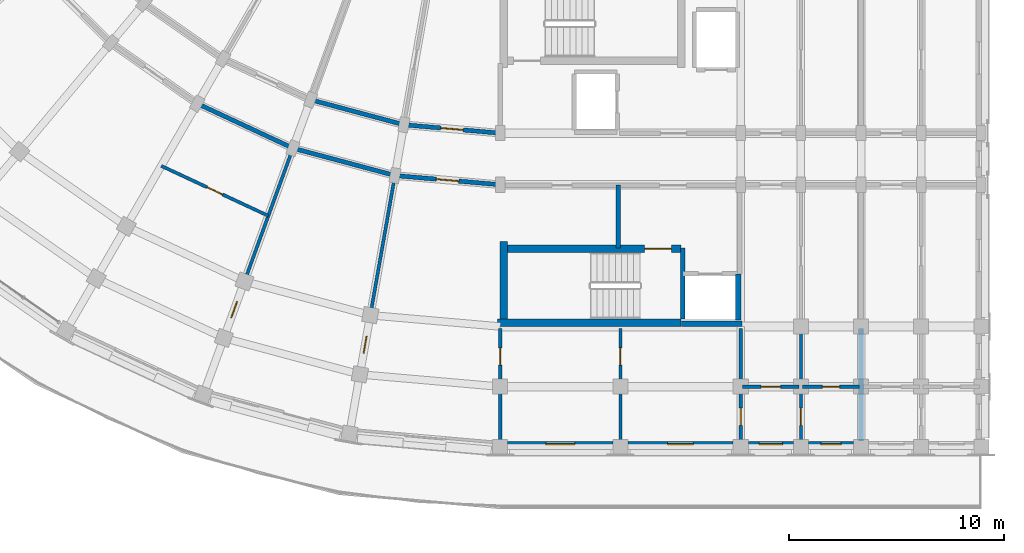
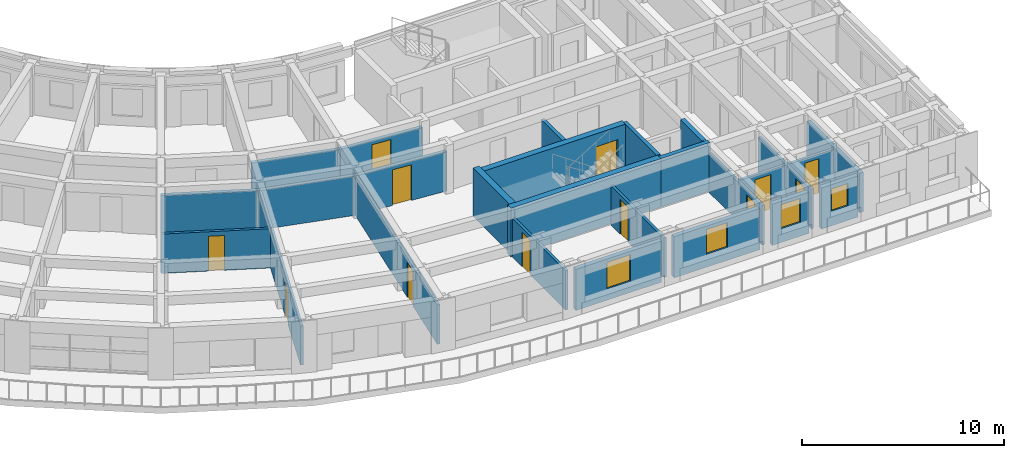
# One storey, part 18 of 57: 26 walls, 12 doors, 4 windows, 16 openings.
"""IFC4 building model written with IfcOpenShell, lengths in metres."""

from ifc_helpers import new_model, si_unit, direction, frame, frame_2d, origin, place, context, subcontext, project, spatial, rectangle, extrude, material, layer, layer_set, type_object, element, fill, save


model = new_model("IFC4")

# Units and contexts
model_context = context("Model", 3, precision=1e-05, world=origin(), true_north=direction((0.0, 1.0)))
body_context = subcontext(model_context, "Body", "Model", "MODEL_VIEW")
ifc_project = project(units=[si_unit("LENGTHUNIT", "METRE"), si_unit("AREAUNIT", "SQUARE_METRE"), si_unit("VOLUMEUNIT", "CUBIC_METRE"), si_unit("PLANEANGLEUNIT", "RADIAN"), si_unit("MASSUNIT", "GRAM", prefix="KILO")], contexts=[model_context])

# Site, building, storey
site_placement = place(None, origin())
site = spatial("IfcSite", under=ifc_project, at=site_placement, CompositionType="ELEMENT")
building_placement = place(site_placement, origin())
building = spatial("IfcBuilding", under=site, at=building_placement, Name="Kiranvali Square Residences", CompositionType="ELEMENT")
storey_placement = place(building_placement, frame((0.0, 0.0, 24.449951171875)))
storey = spatial("IfcBuildingStorey", under=building, at=storey_placement, Name="L07", CompositionType="ELEMENT", Elevation=24.449951171875)

# Wall, opening, door
ifc_material_1 = material(Name="Autoclaved aerated concrete blockwork masonry", Category="masonry")
ifc_layer_1 = layer(ifc_material_1, 0.199951171875)
ifc_layer_set_1 = layer_set([ifc_layer_1], Name="Autoclaved aerated concrete blockwork masonry")
wall_type_1 = type_object("IfcWallType", Name="WL-COR-200", PredefinedType="STANDARD", material=ifc_layer_set_1)
wall_1_placement = place(storey_placement, frame((48.199951171875, 22.39990234375, 0.0), z_axis=(0.0, 0.0, 1.0), x_axis=(-0.996191949488, 0.087187153726, 0.0)))
wall_1 = element("IfcWall", 1, at=wall_1_placement, inside=storey, type_object=wall_type_1, Name="L07 architectural wall WL-L07-C-CCI-0", PredefinedType="STANDARD", context=body_context, shape_type="SweptSolid", body=[
    extrude(rectangle(XDim=4.4970703125, YDim=0.199951171875, at=frame_2d((2.24853515625, 0.0))), origin(), (0.0, 0.0, 1.0), 2.3720703125),
])
opening_1_placement = place(wall_1_placement, frame((1.728515625, 0.0, 0.0)))
opening_1 = element("IfcOpeningElement", 2, at=opening_1_placement, cuts=wall_1, Name="Opening FD-APT-60B", PredefinedType="OPENING", context=body_context, shape_type="SweptSolid", body=[
    extrude(rectangle(XDim=1.0400390625, YDim=2.14990234375, at=frame_2d((0.52001953125, 1.074951171875))), frame((0.0, 0.10986328125, 0.0), z_axis=(0.0, -1.0, 0.0), x_axis=(1.0, 0.0, 0.0)), (0.0, 0.0, 1.0), 0.219970703125),
])
ifc_material_2 = material(Name="Fire-rated acoustic hardwood and mineral-core door assembly", Category="wood")
door_type_1 = type_object("IfcDoorType", Name="DR-APT-1040", OperationType="NOTDEFINED", PredefinedType="DOOR", material=ifc_material_2)
door_1_placement = place(opening_1_placement, origin())
door_1 = element("IfcDoor", 3, at=door_1_placement, inside=storey, type_object=door_type_1, Name="L07 door DR-L07-2185 (DR-APT-1040)", OperationType="SINGLE_SWING_LEFT", OverallHeight=2.14990234375, OverallWidth=1.0400390625, PredefinedType="DOOR", context=body_context, shape_type="SweptSolid", body=[
    extrude(rectangle(XDim=1.0400390625, YDim=2.14990234375, at=frame_2d((0.52001953125, 1.074951171875))), frame((0.0, 0.02490234375, 0.0), z_axis=(0.0, -1.0, 0.0), x_axis=(1.0, 0.0, 0.0)), (0.0, 0.0, 1.0), 0.050048828125),
])
fill(opening_1, door_1)

wall_2_placement = place(storey_placement, frame((48.199951171875, 20.0, 0.0), z_axis=(0.0, 0.0, 1.0), x_axis=(-0.996193663584, 0.087167566415, 0.0)))
wall_2 = element("IfcWall", 4, at=wall_2_placement, inside=storey, type_object=wall_type_1, Name="L07 architectural wall WL-L07-C-CCO-0", PredefinedType="STANDARD", context=body_context, shape_type="SweptSolid", body=[
    extrude(rectangle(XDim=4.91552734375, YDim=0.199951171875, at=frame_2d((2.457763671875, 0.0))), origin(), (0.0, 0.0, 1.0), 2.3720703125),
])
opening_2_placement = place(wall_2_placement, frame((1.937744140625, 0.0, 0.0)))
opening_2 = element("IfcOpeningElement", 5, at=opening_2_placement, cuts=wall_2, Name="Opening FD-APT-60B", PredefinedType="OPENING", context=body_context, shape_type="SweptSolid", body=[
    extrude(rectangle(XDim=1.0400390625, YDim=2.14990234375, at=frame_2d((0.52001953125, 1.074951171875))), frame((0.0, 0.10986328125, 0.0), z_axis=(0.0, -1.0, 0.0), x_axis=(1.0, 0.0, 0.0)), (0.0, 0.0, 1.0), 0.219970703125),
])
door_2_placement = place(opening_2_placement, origin())
door_2 = element("IfcDoor", 6, at=door_2_placement, inside=storey, type_object=door_type_1, Name="L07 door DR-L07-2177 (DR-APT-1040)", OperationType="SINGLE_SWING_LEFT", OverallHeight=2.14990234375, OverallWidth=1.0400390625, PredefinedType="DOOR", context=body_context, shape_type="SweptSolid", body=[
    extrude(rectangle(XDim=1.0400390625, YDim=2.14990234375, at=frame_2d((0.52001953125, 1.074951171875))), frame((0.0, 0.02490234375, 0.0), z_axis=(0.0, -1.0, 0.0), x_axis=(1.0, 0.0, 0.0)), (0.0, 0.0, 1.0), 0.050048828125),
])
fill(opening_2, door_2)

# Walls
wall_3_placement = place(storey_placement, frame((43.719970703125, 22.7919921875, 0.0), z_axis=(0.0, 0.0, 1.0), x_axis=(-0.965934240054, 0.258787642463, 0.0)))
element("IfcWall", 7, at=wall_3_placement, inside=storey, type_object=wall_type_1, Name="L07 architectural wall WL-L07-C-CCI-1", PredefinedType="STANDARD", context=body_context, shape_type="SweptSolid", body=[
    extrude(rectangle(XDim=4.497314453125, YDim=0.199951171875, at=frame_2d((2.24853515625, 0.0))), origin(), (0.0, 0.0, 1.0), 2.3720703125),
])
wall_4_placement = place(storey_placement, frame((43.30322265625, 20.428466796875, 0.0), z_axis=(0.0, 0.0, 1.0), x_axis=(-0.965930095386, 0.258803112091, 0.0)))
element("IfcWall", 8, at=wall_4_placement, inside=storey, type_object=wall_type_1, Name="L07 architectural wall WL-L07-C-CCO-1", PredefinedType="STANDARD", context=body_context, shape_type="SweptSolid", body=[
    extrude(rectangle(XDim=4.915771484375, YDim=0.199951171875, at=frame_2d((2.4580078125, 0.0))), origin(), (0.0, 0.0, 1.0), 2.3720703125),
])
wall_5_placement = place(storey_placement, frame((38.554931640625, 21.70068359375, 0.0), z_axis=(0.0, 0.0, 1.0), x_axis=(-0.906302381024, 0.422629854778, 0.0)))
element("IfcWall", 9, at=wall_5_placement, inside=storey, type_object=wall_type_1, Name="L07 architectural wall WL-L07-C-CCO-2", PredefinedType="STANDARD", context=body_context, shape_type="SweptSolid", body=[
    extrude(rectangle(XDim=4.915283203125, YDim=0.199951171875, at=frame_2d((2.45751953125, 0.0))), origin(), (0.0, 0.0, 1.0), 2.3720703125),
])
ifc_layer_2 = layer(ifc_material_1, 0.219970703125)
ifc_layer_set_2 = layer_set([ifc_layer_2], Name="Autoclaved aerated concrete blockwork masonry")
wall_type_2 = type_object("IfcWallType", Name="WL-DEM-220", PredefinedType="STANDARD", material=ifc_layer_set_2)
wall_6_placement = place(storey_placement, frame((65.0, 13.300048828125, 0.0), z_axis=(0.0, 0.0, 1.0), x_axis=(0.0, -1.0, 0.0)))
element("IfcWall", 10, at=wall_6_placement, inside=storey, type_object=wall_type_2, Name="L07 architectural wall WL-L07-C-A1TO2-2", PredefinedType="STANDARD", context=body_context, shape_type="SweptSolid", body=[
    extrude(rectangle(XDim=5.219970703125, YDim=0.219970703125, at=frame_2d((2.60986328125, 0.0))), origin(), (0.0, 0.0, 1.0), 2.3720703125),
])

# Wall, opening, window
ifc_material_3 = material(Name="Breathable lime-rendered clay brick masonry", Category="masonry")
ifc_layer_3 = layer(ifc_material_3, 0.25)
ifc_layer_set_3 = layer_set([ifc_layer_3], Name="Breathable lime-rendered clay brick masonry")
wall_type_3 = type_object("IfcWallType", Name="WL-EXT-250", PredefinedType="STANDARD", material=ifc_layer_set_3)
wall_7_placement = place(storey_placement, frame((48.553466796875, 7.925048828125, 0.0), z_axis=(0.0, 0.0, 1.0), x_axis=(1.0, 0.0, 0.0)))
wall_7 = element("IfcWall", 11, at=wall_7_placement, inside=storey, type_object=wall_type_3, Name="L07 exterior wall C-L07-A1O-0", PredefinedType="STANDARD", context=body_context, shape_type="SweptSolid", body=[
    extrude(rectangle(XDim=4.89306640625, YDim=0.25, at=frame_2d((2.446533203125, 0.0))), origin(), (0.0, 0.0, 1.0), 2.47998046875),
])
opening_3_placement = place(wall_7_placement, frame((1.771484375, 0.0, 0.679931640625)))
opening_3 = element("IfcOpeningElement", 12, at=opening_3_placement, cuts=wall_7, Name="Opening W-14", PredefinedType="OPENING", context=body_context, shape_type="SweptSolid", body=[
    extrude(rectangle(XDim=1.35009765625, YDim=1.60009765625, at=frame_2d((0.675048828125, 0.800048828125))), frame((0.0, 0.135009765625, 0.0), z_axis=(0.0, -1.0, 0.0), x_axis=(1.0, 0.0, 0.0)), (0.0, 0.0, 1.0), 0.27001953125),
])
ifc_material_4 = material(Name="Solar-control low-e double glazing", Category="glass")
window_type_1 = type_object("IfcWindowType", Name="WIN-RES-1350x1600", PartitioningType="DOUBLE_PANEL_VERTICAL", PredefinedType="WINDOW", material=ifc_material_4)
window_1_placement = place(opening_3_placement, origin())
window_1 = element("IfcWindow", 13, at=window_1_placement, inside=storey, type_object=window_type_1, Name="L07 recessed window C-L07-A1O-0", OverallHeight=1.60009765625, OverallWidth=1.35009765625, PartitioningType="DOUBLE_PANEL_VERTICAL", PredefinedType="WINDOW", context=body_context, shape_type="SweptSolid", body=[
    extrude(rectangle(XDim=1.35009765625, YDim=1.60009765625, at=frame_2d((0.675048828125, 0.800048828125))), frame((0.0, 0.030029296875, 0.0), z_axis=(0.0, -1.0, 0.0), x_axis=(1.0, 0.0, 0.0)), (0.0, 0.0, 1.0), 0.06005859375),
])
fill(opening_3, window_1)

wall_8_placement = place(storey_placement, frame((54.153564453125, 7.925048828125, 0.0), z_axis=(0.0, 0.0, 1.0), x_axis=(1.0, 0.0, 0.0)))
wall_8 = element("IfcWall", 14, at=wall_8_placement, inside=storey, type_object=wall_type_3, Name="L07 exterior wall C-L07-A1O-1", PredefinedType="STANDARD", context=body_context, shape_type="SweptSolid", body=[
    extrude(rectangle(XDim=4.892822265625, YDim=0.25, at=frame_2d((2.4462890625, 0.0))), origin(), (0.0, 0.0, 1.0), 2.47998046875),
])
opening_4_placement = place(wall_8_placement, frame((1.846435546875, 0.0, 0.780029296875)))
opening_4 = element("IfcOpeningElement", 15, at=opening_4_placement, cuts=wall_8, Name="Opening W-06", PredefinedType="OPENING", context=body_context, shape_type="SweptSolid", body=[
    extrude(rectangle(XDim=1.199951171875, YDim=1.5, at=frame_2d((0.60009765625, 0.75))), frame((0.0, 0.135009765625, 0.0), z_axis=(0.0, -1.0, 0.0), x_axis=(1.0, 0.0, 0.0)), (0.0, 0.0, 1.0), 0.27001953125),
])
window_type_2 = type_object("IfcWindowType", Name="WIN-RES-1200x1500", PartitioningType="SINGLE_PANEL", PredefinedType="WINDOW", material=ifc_material_4)
window_2_placement = place(opening_4_placement, origin())
window_2 = element("IfcWindow", 16, at=window_2_placement, inside=storey, type_object=window_type_2, Name="L07 recessed window C-L07-A1O-1", OverallHeight=1.5, OverallWidth=1.199951171875, PartitioningType="SINGLE_PANEL", PredefinedType="WINDOW", context=body_context, shape_type="SweptSolid", body=[
    extrude(rectangle(XDim=1.199951171875, YDim=1.5, at=frame_2d((0.60009765625, 0.75))), frame((0.0, 0.030029296875, 0.0), z_axis=(0.0, -1.0, 0.0), x_axis=(1.0, 0.0, 0.0)), (0.0, 0.0, 1.0), 0.06005859375),
])
fill(opening_4, window_2)

wall_9_placement = place(storey_placement, frame((59.75341796875, 7.925048828125, 0.0), z_axis=(0.0, 0.0, 1.0), x_axis=(1.0, 0.0, 0.0)))
wall_9 = element("IfcWall", 17, at=wall_9_placement, inside=storey, type_object=wall_type_3, Name="L07 exterior wall C-L07-A1O-2", PredefinedType="STANDARD", context=body_context, shape_type="SweptSolid", body=[
    extrude(rectangle(XDim=2.093017578125, YDim=0.25, at=frame_2d((1.04638671875, 0.0))), origin(), (0.0, 0.0, 1.0), 2.47998046875),
])
opening_5_placement = place(wall_9_placement, frame((0.49658203125, 0.0, 0.830078125)))
opening_5 = element("IfcOpeningElement", 18, at=opening_5_placement, cuts=wall_9, Name="Opening W-15", PredefinedType="OPENING", context=body_context, shape_type="SweptSolid", body=[
    extrude(rectangle(XDim=1.10009765625, YDim=1.449951171875, at=frame_2d((0.550048828125, 0.72509765625))), frame((0.0, 0.135009765625, 0.0), z_axis=(0.0, -1.0, 0.0), x_axis=(1.0, 0.0, 0.0)), (0.0, 0.0, 1.0), 0.27001953125),
])
window_type_3 = type_object("IfcWindowType", Name="WIN-RES-1100x1450", PartitioningType="SINGLE_PANEL", PredefinedType="WINDOW", material=ifc_material_4)
window_3_placement = place(opening_5_placement, origin())
window_3 = element("IfcWindow", 19, at=window_3_placement, inside=storey, type_object=window_type_3, Name="L07 recessed window C-L07-A1O-2", OverallHeight=1.449951171875, OverallWidth=1.10009765625, PartitioningType="SINGLE_PANEL", PredefinedType="WINDOW", context=body_context, shape_type="SweptSolid", body=[
    extrude(rectangle(XDim=1.10009765625, YDim=1.449951171875, at=frame_2d((0.550048828125, 0.72509765625))), frame((0.0, 0.030029296875, 0.0), z_axis=(0.0, -1.0, 0.0), x_axis=(1.0, 0.0, 0.0)), (0.0, 0.0, 1.0), 0.06005859375),
])
fill(opening_5, window_3)

wall_10_placement = place(storey_placement, frame((62.553466796875, 7.925048828125, 0.0), z_axis=(0.0, 0.0, 1.0), x_axis=(1.0, 0.0, 0.0)))
wall_10 = element("IfcWall", 20, at=wall_10_placement, inside=storey, type_object=wall_type_3, Name="L07 exterior wall C-L07-A1O-3", PredefinedType="STANDARD", context=body_context, shape_type="SweptSolid", body=[
    extrude(rectangle(XDim=2.093017578125, YDim=0.25, at=frame_2d((1.04638671875, 0.0))), origin(), (0.0, 0.0, 1.0), 2.47998046875),
])
opening_6_placement = place(wall_10_placement, frame((0.571533203125, 0.0, 0.8798828125)))
opening_6 = element("IfcOpeningElement", 21, at=opening_6_placement, cuts=wall_10, Name="Opening W-16", PredefinedType="OPENING", context=body_context, shape_type="SweptSolid", body=[
    extrude(rectangle(XDim=0.949951171875, YDim=1.35009765625, at=frame_2d((0.47509765625, 0.675048828125))), frame((0.0, 0.135009765625, 0.0), z_axis=(0.0, -1.0, 0.0), x_axis=(1.0, 0.0, 0.0)), (0.0, 0.0, 1.0), 0.27001953125),
])
window_type_4 = type_object("IfcWindowType", Name="WIN-RES-950x1350", PartitioningType="SINGLE_PANEL", PredefinedType="WINDOW", material=ifc_material_4)
window_4_placement = place(opening_6_placement, origin())
window_4 = element("IfcWindow", 22, at=window_4_placement, inside=storey, type_object=window_type_4, Name="L07 recessed window C-L07-A1O-3", OverallHeight=1.35009765625, OverallWidth=0.949951171875, PartitioningType="SINGLE_PANEL", PredefinedType="WINDOW", context=body_context, shape_type="SweptSolid", body=[
    extrude(rectangle(XDim=0.949951171875, YDim=1.35009765625, at=frame_2d((0.47509765625, 0.675048828125))), frame((0.0, 0.030029296875, 0.0), z_axis=(0.0, -1.0, 0.0), x_axis=(1.0, 0.0, 0.0)), (0.0, 0.0, 1.0), 0.06005859375),
])
fill(opening_6, window_4)

# Wall
ifc_layer_4 = layer(ifc_material_1, 0.199951171875)
ifc_layer_set_4 = layer_set([ifc_layer_4], Name="Autoclaved aerated concrete blockwork masonry")
wall_type_4 = type_object("IfcWallType", Name="WL-FFL-200", PredefinedType="STANDARD", material=ifc_layer_set_4)
wall_11_placement = place(storey_placement, frame((53.699951171875, 19.97998046875, 0.0), z_axis=(0.0, 0.0, 1.0), x_axis=(0.0, -1.0, 0.0)))
element("IfcWall", 23, at=wall_11_placement, inside=storey, type_object=wall_type_4, Name="L07 architectural wall WL-L07-C-FF-DIV", PredefinedType="STANDARD", context=body_context, shape_type="SweptSolid", body=[
    extrude(rectangle(XDim=2.929931640625, YDim=0.199951171875, at=frame_2d((1.46484375, 0.0))), origin(), (0.0, 0.0, 1.0), 2.3720703125),
])

# Wall, opening, door
ifc_material_5 = material(Name="Acoustic gypsum board drylined partition", Category="gypsum")
ifc_layer_5 = layer(ifc_material_5, 0.14990234375)
ifc_layer_set_5 = layer_set([ifc_layer_5], Name="Acoustic gypsum board drylined partition")
wall_type_5 = type_object("IfcWallType", Name="WL-PRT-150", PredefinedType="PARTITIONING", material=ifc_layer_set_5)
wall_12_placement = place(storey_placement, frame((53.800048828125, 13.300048828125, 0.0), z_axis=(0.0, 0.0, 1.0), x_axis=(0.0, -1.0, 0.0)))
wall_12 = element("IfcWall", 24, at=wall_12_placement, inside=storey, type_object=wall_type_5, Name="L07 architectural wall WL-L07-C-CF-MID", PredefinedType="PARTITIONING", context=body_context, shape_type="SweptSolid", body=[
    extrude(rectangle(XDim=5.219970703125, YDim=0.14990234375, at=frame_2d((2.60986328125, 0.0))), origin(), (0.0, 0.0, 1.0), 2.3720703125),
])
opening_7_placement = place(wall_12_placement, frame((0.899658203125, 0.0, 0.0)))
opening_7 = element("IfcOpeningElement", 25, at=opening_7_placement, cuts=wall_12, Name="Opening ID-WET", PredefinedType="OPENING", context=body_context, shape_type="SweptSolid", body=[
    extrude(rectangle(XDim=0.800048828125, YDim=2.10009765625, at=frame_2d((0.39990234375, 1.050048828125))), frame((0.0, 0.0849609375, 0.0), z_axis=(0.0, -1.0, 0.0), x_axis=(1.0, 0.0, 0.0)), (0.0, 0.0, 1.0), 0.169921875),
])
ifc_material_6 = material(Name="Solid seasoned teak hardwood joinery", Category="wood")
door_type_2 = type_object("IfcDoorType", Name="DR-WET-800", OperationType="NOTDEFINED", PredefinedType="DOOR", material=ifc_material_6)
door_3_placement = place(opening_7_placement, origin())
door_3 = element("IfcDoor", 26, at=door_3_placement, inside=storey, type_object=door_type_2, Name="L07 door DR-L07-2151 (DR-WET-800)", OperationType="SINGLE_SWING_LEFT", OverallHeight=2.10009765625, OverallWidth=0.800048828125, PredefinedType="DOOR", context=body_context, shape_type="SweptSolid", body=[
    extrude(rectangle(XDim=0.800048828125, YDim=2.10009765625, at=frame_2d((0.39990234375, 1.050048828125))), frame((0.0, 0.02490234375, 0.0), z_axis=(0.0, -1.0, 0.0), x_axis=(1.0, 0.0, 0.0)), (0.0, 0.0, 1.0), 0.050048828125),
])
fill(opening_7, door_3)

wall_13_placement = place(storey_placement, frame((59.39990234375, 13.300048828125, 0.0), z_axis=(0.0, 0.0, 1.0), x_axis=(0.0, -1.0, 0.0)))
wall_13 = element("IfcWall", 27, at=wall_13_placement, inside=storey, type_object=wall_type_5, Name="L07 architectural wall WL-L07-C-A1TO2-0", PredefinedType="PARTITIONING", context=body_context, shape_type="SweptSolid", body=[
    extrude(rectangle(XDim=5.219970703125, YDim=0.14990234375, at=frame_2d((2.60986328125, 0.0))), origin(), (0.0, 0.0, 1.0), 2.3720703125),
])
opening_8_placement = place(wall_13_placement, frame((3.69970703125, 0.0, 0.0)))
opening_8 = element("IfcOpeningElement", 28, at=opening_8_placement, cuts=wall_13, Name="Opening ID-WET", PredefinedType="OPENING", context=body_context, shape_type="SweptSolid", body=[
    extrude(rectangle(XDim=0.800048828125, YDim=2.10009765625, at=frame_2d((0.39990234375, 1.050048828125))), frame((0.0, 0.0849609375, 0.0), z_axis=(0.0, -1.0, 0.0), x_axis=(1.0, 0.0, 0.0)), (0.0, 0.0, 1.0), 0.169921875),
])
door_4_placement = place(opening_8_placement, frame((0.800048828125, 0.0, 0.0), z_axis=(0.0, 0.0, 1.0), x_axis=(-1.0, 0.0, 0.0)))
door_4 = element("IfcDoor", 29, at=door_4_placement, inside=storey, type_object=door_type_2, Name="L07 door DR-L07-2160 (DR-WET-800)", OperationType="SINGLE_SWING_RIGHT", OverallHeight=2.10009765625, OverallWidth=0.800048828125, PredefinedType="DOOR", context=body_context, shape_type="SweptSolid", body=[
    extrude(rectangle(XDim=0.800048828125, YDim=2.10009765625, at=frame_2d((0.39990234375, 1.050048828125))), frame((0.0, 0.02490234375, 0.0), z_axis=(0.0, -1.0, 0.0), x_axis=(1.0, 0.0, 0.0)), (0.0, 0.0, 1.0), 0.050048828125),
])
fill(opening_8, door_4)

wall_14_placement = place(storey_placement, frame((62.199951171875, 13.300048828125, 0.0), z_axis=(0.0, 0.0, 1.0), x_axis=(0.0, -1.0, 0.0)))
wall_14 = element("IfcWall", 30, at=wall_14_placement, inside=storey, type_object=wall_type_5, Name="L07 architectural wall WL-L07-C-A1TO2-1", PredefinedType="PARTITIONING", context=body_context, shape_type="SweptSolid", body=[
    extrude(rectangle(XDim=5.219970703125, YDim=0.14990234375, at=frame_2d((2.60986328125, 0.0))), origin(), (0.0, 0.0, 1.0), 2.3720703125),
])
opening_9_placement = place(wall_14_placement, frame((3.69970703125, 0.0, 0.0)))
opening_9 = element("IfcOpeningElement", 31, at=opening_9_placement, cuts=wall_14, Name="Opening ID-WET", PredefinedType="OPENING", context=body_context, shape_type="SweptSolid", body=[
    extrude(rectangle(XDim=0.800048828125, YDim=2.10009765625, at=frame_2d((0.39990234375, 1.050048828125))), frame((0.0, 0.0849609375, 0.0), z_axis=(0.0, -1.0, 0.0), x_axis=(1.0, 0.0, 0.0)), (0.0, 0.0, 1.0), 0.169921875),
])
door_5_placement = place(opening_9_placement, origin())
door_5 = element("IfcDoor", 32, at=door_5_placement, inside=storey, type_object=door_type_2, Name="L07 door DR-L07-2163 (DR-WET-800)", OperationType="SINGLE_SWING_LEFT", OverallHeight=2.10009765625, OverallWidth=0.800048828125, PredefinedType="DOOR", context=body_context, shape_type="SweptSolid", body=[
    extrude(rectangle(XDim=0.800048828125, YDim=2.10009765625, at=frame_2d((0.39990234375, 1.050048828125))), frame((0.0, 0.02490234375, 0.0), z_axis=(0.0, -1.0, 0.0), x_axis=(1.0, 0.0, 0.0)), (0.0, 0.0, 1.0), 0.050048828125),
])
fill(opening_9, door_5)

wall_15_placement = place(storey_placement, frame((48.199951171875, 13.300048828125, 0.0), z_axis=(0.0, 0.0, 1.0), x_axis=(0.0, -1.0, 0.0)))
wall_15 = element("IfcWall", 33, at=wall_15_placement, inside=storey, type_object=wall_type_5, Name="L07 architectural wall WL-L07-C-RADO-0", PredefinedType="PARTITIONING", context=body_context, shape_type="SweptSolid", body=[
    extrude(rectangle(XDim=5.219970703125, YDim=0.14990234375, at=frame_2d((2.60986328125, 0.0))), origin(), (0.0, 0.0, 1.0), 2.3720703125),
])
opening_10_placement = place(wall_15_placement, frame((0.899658203125, 0.0, 0.0)))
opening_10 = element("IfcOpeningElement", 34, at=opening_10_placement, cuts=wall_15, Name="Opening ID-WET", PredefinedType="OPENING", context=body_context, shape_type="SweptSolid", body=[
    extrude(rectangle(XDim=0.800048828125, YDim=2.10009765625, at=frame_2d((0.39990234375, 1.050048828125))), frame((0.0, 0.0849609375, 0.0), z_axis=(0.0, -1.0, 0.0), x_axis=(1.0, 0.0, 0.0)), (0.0, 0.0, 1.0), 0.169921875),
])
door_6_placement = place(opening_10_placement, origin())
door_6 = element("IfcDoor", 35, at=door_6_placement, inside=storey, type_object=door_type_2, Name="L07 door DR-L07-2167 (DR-WET-800)", OperationType="SINGLE_SWING_LEFT", OverallHeight=2.10009765625, OverallWidth=0.800048828125, PredefinedType="DOOR", context=body_context, shape_type="SweptSolid", body=[
    extrude(rectangle(XDim=0.800048828125, YDim=2.10009765625, at=frame_2d((0.39990234375, 1.050048828125))), frame((0.0, 0.02490234375, 0.0), z_axis=(0.0, -1.0, 0.0), x_axis=(1.0, 0.0, 0.0)), (0.0, 0.0, 1.0), 0.050048828125),
])
fill(opening_10, door_6)

wall_16_placement = place(storey_placement, frame((43.28564453125, 20.329833984375, 0.0), z_axis=(0.0, 0.0, 1.0), x_axis=(-0.173646292378, -0.984808085438, 0.0)))
wall_16 = element("IfcWall", 36, at=wall_16_placement, inside=storey, type_object=wall_type_5, Name="L07 architectural wall WL-L07-C-RADO-1", PredefinedType="PARTITIONING", context=body_context, shape_type="SweptSolid", body=[
    extrude(rectangle(XDim=11.820068359375, YDim=0.14990234375, at=frame_2d((5.91015625, 0.0))), origin(), (0.0, 0.0, 1.0), 2.3720703125),
])
opening_11_placement = place(wall_16_placement, frame((7.50048828125, 0.0, 0.0)))
opening_11 = element("IfcOpeningElement", 37, at=opening_11_placement, cuts=wall_16, Name="Opening ID-WET", PredefinedType="OPENING", context=body_context, shape_type="SweptSolid", body=[
    extrude(rectangle(XDim=0.800048828125, YDim=2.10009765625, at=frame_2d((0.39990234375, 1.050048828125))), frame((0.0, 0.0849609375, 0.0), z_axis=(0.0, -1.0, 0.0), x_axis=(1.0, 0.0, 0.0)), (0.0, 0.0, 1.0), 0.169921875),
])
door_7_placement = place(opening_11_placement, origin())
door_7 = element("IfcDoor", 38, at=door_7_placement, inside=storey, type_object=door_type_2, Name="L07 door DR-L07-2169 (DR-WET-800)", OperationType="SINGLE_SWING_LEFT", OverallHeight=2.10009765625, OverallWidth=0.800048828125, PredefinedType="DOOR", context=body_context, shape_type="SweptSolid", body=[
    extrude(rectangle(XDim=0.800048828125, YDim=2.10009765625, at=frame_2d((0.39990234375, 1.050048828125))), frame((0.0, 0.02490234375, 0.0), z_axis=(0.0, -1.0, 0.0), x_axis=(1.0, 0.0, 0.0)), (0.0, 0.0, 1.0), 0.050048828125),
])
fill(opening_11, door_7)

wall_17_placement = place(storey_placement, frame((38.520751953125, 21.606689453125, 0.0), z_axis=(0.0, 0.0, 1.0), x_axis=(-0.342005081534, -0.939698102693, 0.0)))
wall_17 = element("IfcWall", 39, at=wall_17_placement, inside=storey, type_object=wall_type_5, Name="L07 architectural wall WL-L07-C-RADO-2", PredefinedType="PARTITIONING", context=body_context, shape_type="SweptSolid", body=[
    extrude(rectangle(XDim=11.81982421875, YDim=0.14990234375, at=frame_2d((5.909912109375, 0.0))), origin(), (0.0, 0.0, 1.0), 2.3720703125),
])
opening_12_placement = place(wall_17_placement, frame((7.50048828125, 0.0, 0.0)))
opening_12 = element("IfcOpeningElement", 40, at=opening_12_placement, cuts=wall_17, Name="Opening ID-WET", PredefinedType="OPENING", context=body_context, shape_type="SweptSolid", body=[
    extrude(rectangle(XDim=0.800048828125, YDim=2.10009765625, at=frame_2d((0.39990234375, 1.050048828125))), frame((0.0, 0.0849609375, 0.0), z_axis=(0.0, -1.0, 0.0), x_axis=(1.0, 0.0, 0.0)), (0.0, 0.0, 1.0), 0.169921875),
])
door_8_placement = place(opening_12_placement, frame((0.800048828125, 0.0, 0.0), z_axis=(0.0, 0.0, 1.0), x_axis=(-1.0, 0.0, 0.0)))
door_8 = element("IfcDoor", 41, at=door_8_placement, inside=storey, type_object=door_type_2, Name="L07 door DR-L07-2170 (DR-WET-800)", OperationType="SINGLE_SWING_RIGHT", OverallHeight=2.10009765625, OverallWidth=0.800048828125, PredefinedType="DOOR", context=body_context, shape_type="SweptSolid", body=[
    extrude(rectangle(XDim=0.800048828125, YDim=2.10009765625, at=frame_2d((0.39990234375, 1.050048828125))), frame((0.0, 0.02490234375, 0.0), z_axis=(0.0, -1.0, 0.0), x_axis=(1.0, 0.0, 0.0)), (0.0, 0.0, 1.0), 0.050048828125),
])
fill(opening_12, door_8)

# Walls
ifc_layer_6 = layer(ifc_material_1, 0.199951171875)
ifc_layer_set_6 = layer_set([ifc_layer_6], Name="Autoclaved aerated concrete blockwork masonry")
wall_type_6 = type_object("IfcWallType", Name="WL-SHF-200", PredefinedType="STANDARD", material=ifc_layer_set_6)
wall_18_placement = place(storey_placement, frame((56.699951171875, 17.050048828125, 0.0), z_axis=(0.0, 0.0, 1.0), x_axis=(0.0, -1.0, 0.0)))
element("IfcWall", 42, at=wall_18_placement, inside=storey, type_object=wall_type_6, Name="L07 architectural wall WL-L07-C-FF-SHF", PredefinedType="STANDARD", context=body_context, shape_type="SweptSolid", body=[
    extrude(rectangle(XDim=3.300048828125, YDim=0.199951171875, at=frame_2d((1.64990234375, 0.0))), origin(), (0.0, 0.0, 1.0), 2.929931640625),
])
ifc_material_7 = material(Name="Concrete M45 (45 MPa)", Category="concrete")
ifc_layer_7 = layer(ifc_material_7, 0.25)
ifc_layer_set_7 = layer_set([ifc_layer_7], Name="Concrete M45 (45 MPa)")
wall_type_7 = type_object("IfcWallType", Name="WL-SHR-250", PredefinedType="SHEAR", material=ifc_layer_set_7)
wall_19_placement = place(storey_placement, frame((56.64990234375, 13.52490234375, 0.0), z_axis=(0.0, 0.0, 1.0), x_axis=(1.0, 0.0, 0.0)))
element("IfcWall", 43, at=wall_19_placement, inside=storey, type_object=wall_type_7, Name="Block C core shear wall SW-CFF-BK-L07", PredefinedType="SHEAR", context=body_context, shape_type="SweptSolid", body=[
    extrude(rectangle(XDim=2.800048828125, YDim=0.25, at=frame_2d((1.39990234375, 0.0))), origin(), (0.0, 0.0, 1.0), 2.929931640625),
])
wall_20_placement = place(storey_placement, frame((59.27490234375, 15.85009765625, 0.0), z_axis=(0.0, 0.0, 1.0), x_axis=(0.0, -1.0, 0.0)))
element("IfcWall", 44, at=wall_20_placement, inside=storey, type_object=wall_type_7, Name="Block C core shear wall SW-CFF-SD-L07", PredefinedType="SHEAR", context=body_context, shape_type="SweptSolid", body=[
    extrude(rectangle(XDim=2.150146484375, YDim=0.25, at=frame_2d((1.0751953125, 0.0))), origin(), (0.0, 0.0, 1.0), 2.929931640625),
])
ifc_layer_8 = layer(ifc_material_7, 0.320068359375)
ifc_layer_set_8 = layer_set([ifc_layer_8], Name="Concrete M45 (45 MPa)")
wall_type_8 = type_object("IfcWallType", Name="WL-SHR-320", PredefinedType="SHEAR", material=ifc_layer_set_8)
wall_21_placement = place(storey_placement, frame((48.080078125, 13.574951171875, 0.0), z_axis=(0.0, 0.0, 1.0), x_axis=(1.0, 0.0, 0.0)))
element("IfcWall", 45, at=wall_21_placement, inside=storey, type_object=wall_type_8, Name="Block C core shear wall SW-C1-OUT-L07", PredefinedType="SHEAR", context=body_context, shape_type="SweptSolid", body=[
    extrude(rectangle(XDim=8.544921875, YDim=0.35009765625, at=frame_2d((4.2724609375, 0.0))), origin(), (0.0, 0.0, 1.0), 2.929931640625),
])

# Wall, opening, door
wall_22_placement = place(storey_placement, frame((48.550048828125, 17.02490234375, 0.0), z_axis=(0.0, 0.0, 1.0), x_axis=(1.0, 0.0, 0.0)))
wall_22 = element("IfcWall", 46, at=wall_22_placement, inside=storey, type_object=wall_type_8, Name="Block C core shear wall SW-C1-IN-L07", PredefinedType="SHEAR", context=body_context, shape_type="SweptSolid", body=[
    extrude(rectangle(XDim=8.074951171875, YDim=0.35009765625, at=frame_2d((4.03759765625, 0.0))), origin(), (0.0, 0.0, 1.0), 2.929931640625),
])
opening_13_placement = place(wall_22_placement, frame((6.3798828125, 0.0, 0.0)))
opening_13 = element("IfcOpeningElement", 47, at=opening_13_placement, cuts=wall_22, Name="Opening FD-ST-120", PredefinedType="OPENING", context=body_context, shape_type="SweptSolid", body=[
    extrude(rectangle(XDim=1.239990234375, YDim=2.14990234375, at=frame_2d((0.6201171875, 1.074951171875))), frame((0.0, 0.18505859375, 0.0), z_axis=(0.0, -1.0, 0.0), x_axis=(1.0, 0.0, 0.0)), (0.0, 0.0, 1.0), 0.3701171875),
])
door_type_3 = type_object("IfcDoorType", Name="DR-FD120-1200", OperationType="NOTDEFINED", PredefinedType="DOOR", material=ifc_material_2)
door_9_placement = place(opening_13_placement, frame((1.239990234375, 0.0, 0.0), z_axis=(0.0, 0.0, 1.0), x_axis=(-1.0, 0.0, 0.0)))
door_9 = element("IfcDoor", 48, at=door_9_placement, inside=storey, type_object=door_type_3, Name="L07 door DR-L07-2143 (DR-FD120-1200)", OperationType="SINGLE_SWING_LEFT", OverallHeight=2.14990234375, OverallWidth=1.239990234375, PredefinedType="DOOR", context=body_context, shape_type="SweptSolid", body=[
    extrude(rectangle(XDim=1.239990234375, YDim=2.14990234375, at=frame_2d((0.6201171875, 1.074951171875))), frame((0.0, 0.02490234375, 0.0), z_axis=(0.0, -1.0, 0.0), x_axis=(1.0, 0.0, 0.0)), (0.0, 0.0, 1.0), 0.050048828125),
])
fill(opening_13, door_9)

# Wall
wall_23_placement = place(storey_placement, frame((48.375, 17.35009765625, 0.0), z_axis=(0.0, 0.0, 1.0), x_axis=(0.0, -1.0, 0.0)))
element("IfcWall", 49, at=wall_23_placement, inside=storey, type_object=wall_type_8, Name="Block C core shear wall SW-C1-FAR-L07", PredefinedType="SHEAR", context=body_context, shape_type="SweptSolid", body=[
    extrude(rectangle(XDim=3.60009765625, YDim=0.35009765625, at=frame_2d((1.800048828125, 0.0))), origin(), (0.0, 0.0, 1.0), 2.929931640625),
])

# Wall, opening, door
ifc_layer_9 = layer(ifc_material_1, 0.14990234375)
ifc_layer_set_9 = layer_set([ifc_layer_9], Name="Autoclaved aerated concrete blockwork masonry")
wall_type_9 = type_object("IfcWallType", Name="WL-WET-150", PredefinedType="PLUMBINGWALL", material=ifc_layer_set_9)
wall_24_placement = place(storey_placement, frame((59.47998046875, 10.60009765625, 0.0), z_axis=(0.0, 0.0, 1.0), x_axis=(1.0, 0.0, 0.0)))
wall_24 = element("IfcWall", 50, at=wall_24_placement, inside=storey, type_object=wall_type_9, Name="L07 architectural wall WL-L07-C-A1SP-0", PredefinedType="PLUMBINGWALL", context=body_context, shape_type="SweptSolid", body=[
    extrude(rectangle(XDim=2.64013671875, YDim=0.14990234375, at=frame_2d((1.320068359375, 0.0))), origin(), (0.0, 0.0, 1.0), 2.3720703125),
])
opening_14_placement = place(wall_24_placement, frame((0.8701171875, 0.0, 0.0)))
opening_14 = element("IfcOpeningElement", 51, at=opening_14_placement, cuts=wall_24, Name="Opening ID-1", PredefinedType="OPENING", context=body_context, shape_type="SweptSolid", body=[
    extrude(rectangle(XDim=0.89990234375, YDim=2.10009765625, at=frame_2d((0.449951171875, 1.050048828125))), frame((0.0, 0.0849609375, 0.0), z_axis=(0.0, -1.0, 0.0), x_axis=(1.0, 0.0, 0.0)), (0.0, 0.0, 1.0), 0.169921875),
])
door_type_4 = type_object("IfcDoorType", Name="DR-INT-900", OperationType="NOTDEFINED", PredefinedType="DOOR", material=ifc_material_6)
door_10_placement = place(opening_14_placement, origin())
door_10 = element("IfcDoor", 52, at=door_10_placement, inside=storey, type_object=door_type_4, Name="L07 door DR-L07-2153 (DR-INT-900)", OperationType="SINGLE_SWING_LEFT", OverallHeight=2.10009765625, OverallWidth=0.89990234375, PredefinedType="DOOR", context=body_context, shape_type="SweptSolid", body=[
    extrude(rectangle(XDim=0.89990234375, YDim=2.10009765625, at=frame_2d((0.449951171875, 1.050048828125))), frame((0.0, 0.02490234375, 0.0), z_axis=(0.0, -1.0, 0.0), x_axis=(1.0, 0.0, 0.0)), (0.0, 0.0, 1.0), 0.050048828125),
])
fill(opening_14, door_10)

wall_25_placement = place(storey_placement, frame((62.280029296875, 10.60009765625, 0.0), z_axis=(0.0, 0.0, 1.0), x_axis=(1.0, 0.0, 0.0)))
wall_25 = element("IfcWall", 53, at=wall_25_placement, inside=storey, type_object=wall_type_9, Name="L07 architectural wall WL-L07-C-A1SP-1", PredefinedType="PLUMBINGWALL", context=body_context, shape_type="SweptSolid", body=[
    extrude(rectangle(XDim=2.639892578125, YDim=0.14990234375, at=frame_2d((1.31982421875, 0.0))), origin(), (0.0, 0.0, 1.0), 2.3720703125),
])
opening_15_placement = place(wall_25_placement, frame((0.919921875, 0.0, 0.0)))
opening_15 = element("IfcOpeningElement", 54, at=opening_15_placement, cuts=wall_25, Name="Opening ID-WET", PredefinedType="OPENING", context=body_context, shape_type="SweptSolid", body=[
    extrude(rectangle(XDim=0.800048828125, YDim=2.10009765625, at=frame_2d((0.39990234375, 1.050048828125))), frame((0.0, 0.0849609375, 0.0), z_axis=(0.0, -1.0, 0.0), x_axis=(1.0, 0.0, 0.0)), (0.0, 0.0, 1.0), 0.169921875),
])
door_11_placement = place(opening_15_placement, origin())
door_11 = element("IfcDoor", 55, at=door_11_placement, inside=storey, type_object=door_type_2, Name="L07 door DR-L07-2155 (DR-WET-800)", OperationType="SINGLE_SWING_LEFT", OverallHeight=2.10009765625, OverallWidth=0.800048828125, PredefinedType="DOOR", context=body_context, shape_type="SweptSolid", body=[
    extrude(rectangle(XDim=0.800048828125, YDim=2.10009765625, at=frame_2d((0.39990234375, 1.050048828125))), frame((0.0, 0.02490234375, 0.0), z_axis=(0.0, -1.0, 0.0), x_axis=(1.0, 0.0, 0.0)), (0.0, 0.0, 1.0), 0.050048828125),
])
fill(opening_15, door_11)

wall_26_placement = place(storey_placement, frame((37.4091796875, 18.552734375, 0.0), z_axis=(0.0, 0.0, 1.0), x_axis=(-0.906302189986, 0.422630264446, 0.0)))
wall_26 = element("IfcWall", 56, at=wall_26_placement, inside=storey, type_object=wall_type_9, Name="L07 architectural wall WL-L07-C-CWET-2", PredefinedType="PLUMBINGWALL", context=body_context, shape_type="SweptSolid", body=[
    extrude(rectangle(XDim=5.49951171875, YDim=0.14990234375, at=frame_2d((2.749755859375, 0.0))), origin(), (0.0, 0.0, 1.0), 2.3720703125),
])
opening_16_placement = place(wall_26_placement, frame((2.349853515625, 0.0, 0.0)))
opening_16 = element("IfcOpeningElement", 57, at=opening_16_placement, cuts=wall_26, Name="Opening ID-WET", PredefinedType="OPENING", context=body_context, shape_type="SweptSolid", body=[
    extrude(rectangle(XDim=0.800048828125, YDim=2.10009765625, at=frame_2d((0.39990234375, 1.050048828125))), frame((0.0, 0.0849609375, 0.0), z_axis=(0.0, -1.0, 0.0), x_axis=(1.0, 0.0, 0.0)), (0.0, 0.0, 1.0), 0.169921875),
])
door_12_placement = place(opening_16_placement, frame((0.800048828125, 0.0, 0.0), z_axis=(0.0, 0.0, 1.0), x_axis=(-1.0, 0.0, 0.0)))
door_12 = element("IfcDoor", 58, at=door_12_placement, inside=storey, type_object=door_type_2, Name="L07 door DR-L07-2178 (DR-WET-800)", OperationType="SINGLE_SWING_RIGHT", OverallHeight=2.10009765625, OverallWidth=0.800048828125, PredefinedType="DOOR", context=body_context, shape_type="SweptSolid", body=[
    extrude(rectangle(XDim=0.800048828125, YDim=2.10009765625, at=frame_2d((0.39990234375, 1.050048828125))), frame((0.0, 0.02490234375, 0.0), z_axis=(0.0, -1.0, 0.0), x_axis=(1.0, 0.0, 0.0)), (0.0, 0.0, 1.0), 0.050048828125),
])
fill(opening_16, door_12)

save(model, "model.ifc")
